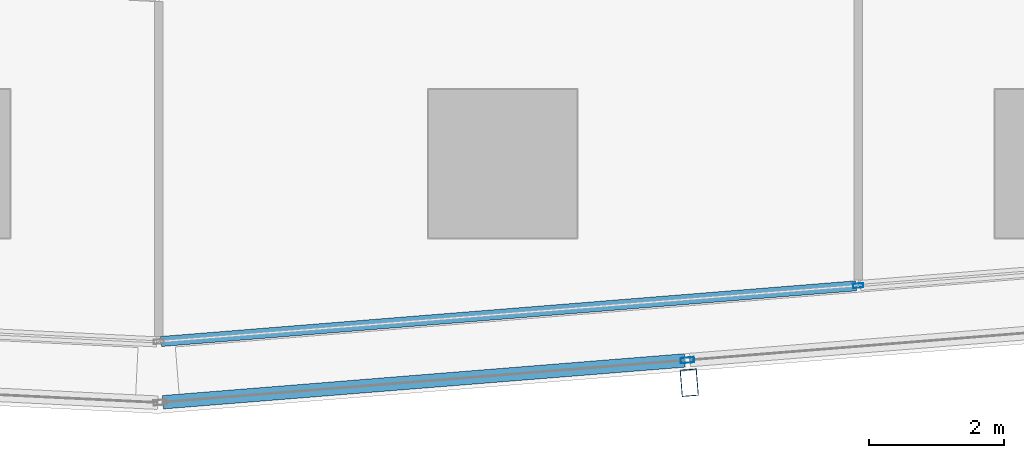
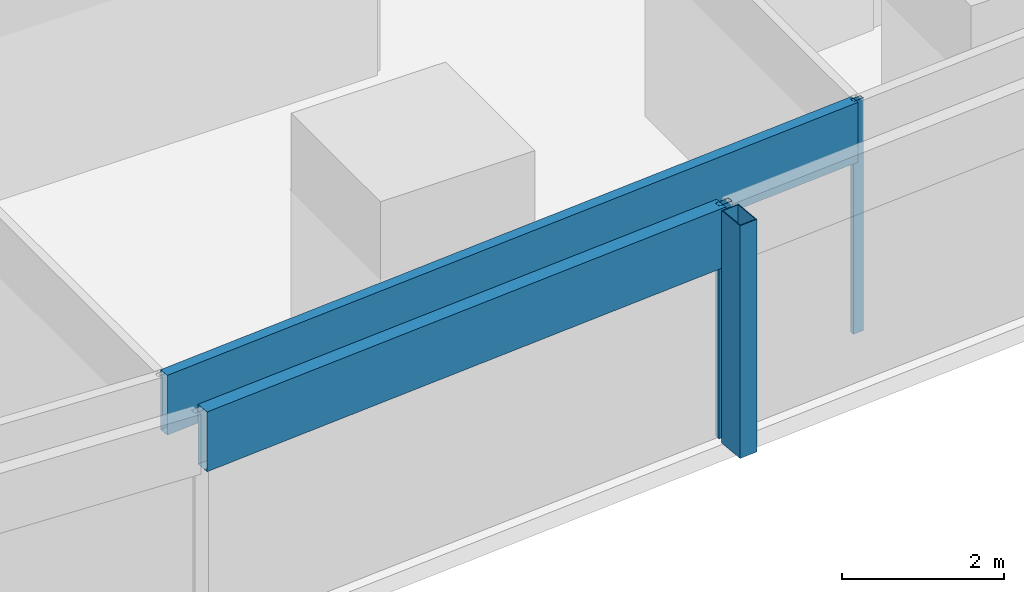
# One storey, part 10 of 44: 5 members, 2 elements without a shape of their own.
"""IFC4 building model written with IfcOpenShell, lengths in metres."""

from ifc_helpers import new_model, si_unit, direction, frame, origin, origin_2d, place, context, subcontext, project, spatial, hollow_rectangle, extrude, material, material_profile, profile_set, type_object, element, aggregate, save


model = new_model("IFC4")

# Units and contexts
model_context = context("Model", 3, precision=1e-05, world=origin(), true_north=direction((0.0, 1.0)))
body_context = subcontext(model_context, "Body", "Model", "MODEL_VIEW")
ifc_project = project(units=[si_unit("LENGTHUNIT", "METRE"), si_unit("AREAUNIT", "SQUARE_METRE"), si_unit("VOLUMEUNIT", "CUBIC_METRE"), si_unit("PLANEANGLEUNIT", "RADIAN"), si_unit("MASSUNIT", "GRAM", prefix="KILO")], contexts=[model_context])

# Site, building, storey
site_placement = place(None, origin())
site = spatial("IfcSite", under=ifc_project, at=site_placement, CompositionType="ELEMENT")
building_placement = place(site_placement, origin())
building = spatial("IfcBuilding", under=site, at=building_placement, Name="Rekha Terrace Tower", CompositionType="ELEMENT")
storey_placement = place(building_placement, frame((0.0, 0.0, 59.14990234375)))
storey = spatial("IfcBuildingStorey", under=building, at=storey_placement, Name="L14", CompositionType="ELEMENT", Elevation=59.14990234375)

# Curtain wall, member
ifc_material_1 = material(Name="Aluminium framing", Category="aluminium")
curtain_wall_type_1 = type_object("IfcCurtainWallType", Name="CW2 double skin outer glazing", PredefinedType="USERDEFINED", material=ifc_material_1)
curtain_wall_1_placement = place(storey_placement, origin())
curtain_wall_1 = element("IfcCurtainWall", 1, at=curtain_wall_1_placement, inside=storey, type_object=curtain_wall_type_1, Name="CW2 double skin outer glazing", ObjectType="DOUBLE SKIN OUTER GLAZING", PredefinedType="USERDEFINED")
ifc_material_2 = material(Name="Steel S355 with fluorocarbon finish", Category="steel")
ifc_material_profile_1 = material_profile(ifc_material_2, hollow_rectangle(XDim=0.25, YDim=0.39990234375, WallThickness=0.012451171875, at=origin_2d()), Name="RHS400x250x12.5")
ifc_profile_set_1 = profile_set([ifc_material_profile_1], Name="Steel S355 with fluorocarbon finish")
member_type_1 = type_object("IfcMemberType", Name="BL1 facade blade RHS 400 x 250", PredefinedType="USERDEFINED", material=ifc_profile_set_1)
member_1_placement = place(storey_placement, frame((53.16748046875, 5.15576171875, 0.0), z_axis=(0.0, 0.0, 1.0), x_axis=(0.996805139821, 0.079871855039, 0.0)))
member_1 = element("IfcMember", 2, at=member_1_placement, type_object=member_type_1, Name="Facade blade", ObjectType="FACADE BLADE", PredefinedType="USERDEFINED", context=body_context, shape_type="SweptSolid", body=[
    extrude(hollow_rectangle(XDim=0.25, YDim=0.39990234375, WallThickness=0.012451171875, at=origin_2d()), origin(), (0.0, 0.0, 1.0), 3.5),
])

# Curtain wall, members
curtain_wall_type_2 = type_object("IfcCurtainWallType", Name="CW1 double skin inner glazing", PredefinedType="USERDEFINED", material=ifc_material_1)
curtain_wall_2_placement = place(storey_placement, origin())
curtain_wall_2 = element("IfcCurtainWall", 3, at=curtain_wall_2_placement, inside=storey, type_object=curtain_wall_type_2, Name="CW1 double skin inner glazing", ObjectType="DOUBLE SKIN INNER GLAZING", PredefinedType="USERDEFINED")
ifc_material_3 = material(Name="Aluminium mullion section", Category="aluminium")
ifc_material_profile_2 = material_profile(ifc_material_3, hollow_rectangle(XDim=0.06494140625, YDim=0.14990234375, WallThickness=0.00390625, at=origin_2d()), Name="AL RHS 65x150")
ifc_profile_set_2 = profile_set([ifc_material_profile_2], Name="Aluminium mullion section")
member_type_2 = type_object("IfcMemberType", Name="CW1 mullion RHS 65 x 150", PredefinedType="MULLION", material=ifc_profile_set_2)
member_2_placement = place(storey_placement, frame((55.672119140625, 6.595458984375, 0.0), z_axis=(0.0, 0.0, 1.0), x_axis=(-0.079872204468, 0.996805111821, 0.0)))
member_2 = element("IfcMember", 4, at=member_2_placement, type_object=member_type_2, Name="CW1 mullion 2", PredefinedType="MULLION", context=body_context, shape_type="SweptSolid", body=[
    extrude(hollow_rectangle(XDim=0.06494140625, YDim=0.14990234375, WallThickness=0.00390625, at=origin_2d()), origin(), (0.0, 0.0, 1.0), 3.5),
])
ifc_material_4 = material(Name="Insulated aluminium spandrel box", Category="aluminium")
ifc_material_profile_3 = material_profile(ifc_material_4, hollow_rectangle(XDim=0.14990234375, YDim=0.89990234375, WallThickness=0.0029296875, at=origin_2d()), Name="AL SPANDREL BOX 150x900")
ifc_profile_set_3 = profile_set([ifc_material_profile_3], Name="Insulated aluminium spandrel box")
member_type_3 = type_object("IfcMemberType", Name="CW1 spandrel transom 150 x 900", PredefinedType="USERDEFINED", material=ifc_profile_set_3)
member_3_placement = place(storey_placement, frame((45.33642578125, 5.767333984375, 3.050048828125), z_axis=(0.996806184606, 0.079858814989, 0.0), x_axis=(-0.079858814989, 0.996806184606, 0.0)))
member_3 = element("IfcMember", 5, at=member_3_placement, type_object=member_type_3, Name="CW1 spandrel transom 1", ObjectType="TRANSOM", PredefinedType="USERDEFINED", context=body_context, shape_type="SweptSolid", body=[
    extrude(hollow_rectangle(XDim=0.14990234375, YDim=0.89990234375, WallThickness=0.0029296875, at=origin_2d()), origin(), (0.0, 0.0, 1.0), 10.336181640625),
])
aggregate(curtain_wall_2, [member_2, member_3])

# Member
ifc_material_profile_4 = material_profile(ifc_material_3, hollow_rectangle(XDim=0.080078125, YDim=0.199951171875, WallThickness=0.00390625, at=origin_2d()), Name="AL RHS 80x200")
ifc_profile_set_4 = profile_set([ifc_material_profile_4], Name="Aluminium mullion section")
member_type_4 = type_object("IfcMemberType", Name="CW2 mullion RHS 80 x 200", PredefinedType="MULLION", material=ifc_profile_set_4)
member_4_placement = place(storey_placement, frame((53.140869140625, 5.48974609375, 0.0), z_axis=(0.0, 0.0, 1.0), x_axis=(-0.079872204468, 0.996805111821, 0.0)))
member_4 = element("IfcMember", 6, at=member_4_placement, type_object=member_type_4, Name="CW2 mullion 2", PredefinedType="MULLION", context=body_context, shape_type="SweptSolid", body=[
    extrude(hollow_rectangle(XDim=0.080078125, YDim=0.199951171875, WallThickness=0.00390625, at=origin_2d()), origin(), (0.0, 0.0, 1.0), 3.5),
])

ifc_material_profile_5 = material_profile(ifc_material_4, hollow_rectangle(XDim=0.199951171875, YDim=0.89990234375, WallThickness=0.0029296875, at=origin_2d()), Name="AL SPANDREL BOX 200x900")
ifc_profile_set_5 = profile_set([ifc_material_profile_5], Name="Insulated aluminium spandrel box")
member_type_5 = type_object("IfcMemberType", Name="CW2 spandrel transom 200 x 900", PredefinedType="USERDEFINED", material=ifc_profile_set_5)
member_5_placement = place(storey_placement, frame((45.365234375, 4.86669921875, 3.050048828125), z_axis=(0.996804766607, 0.079876512622, 0.0), x_axis=(-0.079876512622, 0.996804766607, 0.0)))
member_5 = element("IfcMember", 7, at=member_5_placement, type_object=member_type_5, Name="CW2 spandrel transom 1", ObjectType="TRANSOM", PredefinedType="USERDEFINED", context=body_context, shape_type="SweptSolid", body=[
    extrude(hollow_rectangle(XDim=0.199951171875, YDim=0.89990234375, WallThickness=0.0029296875, at=origin_2d()), origin(), (0.0, 0.0, 1.0), 7.760498046875),
])

aggregate(curtain_wall_1, [member_4, member_5, member_1])

save(model, "model.ifc")
